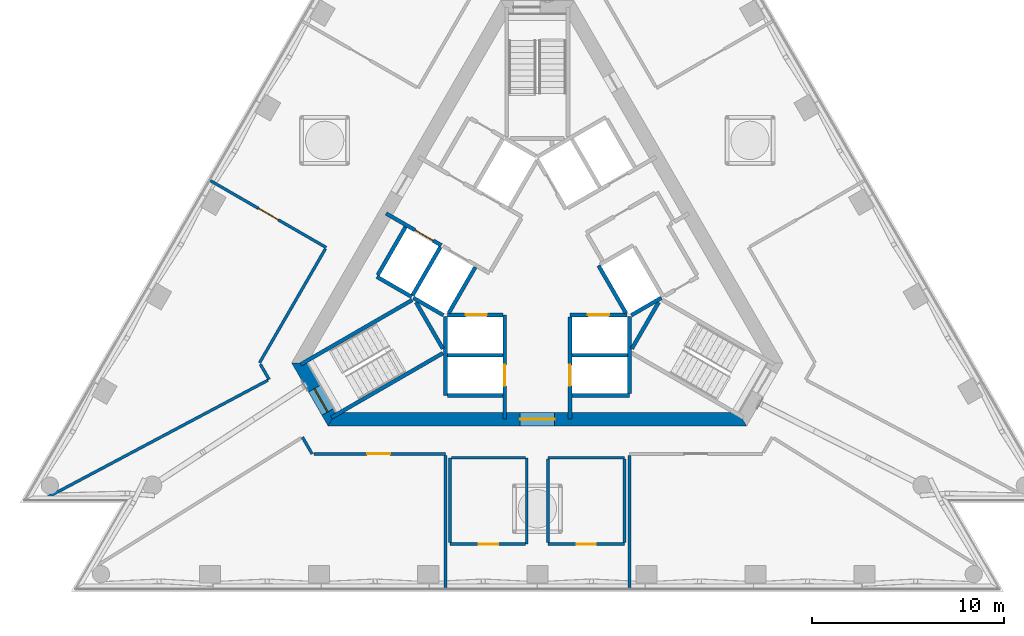
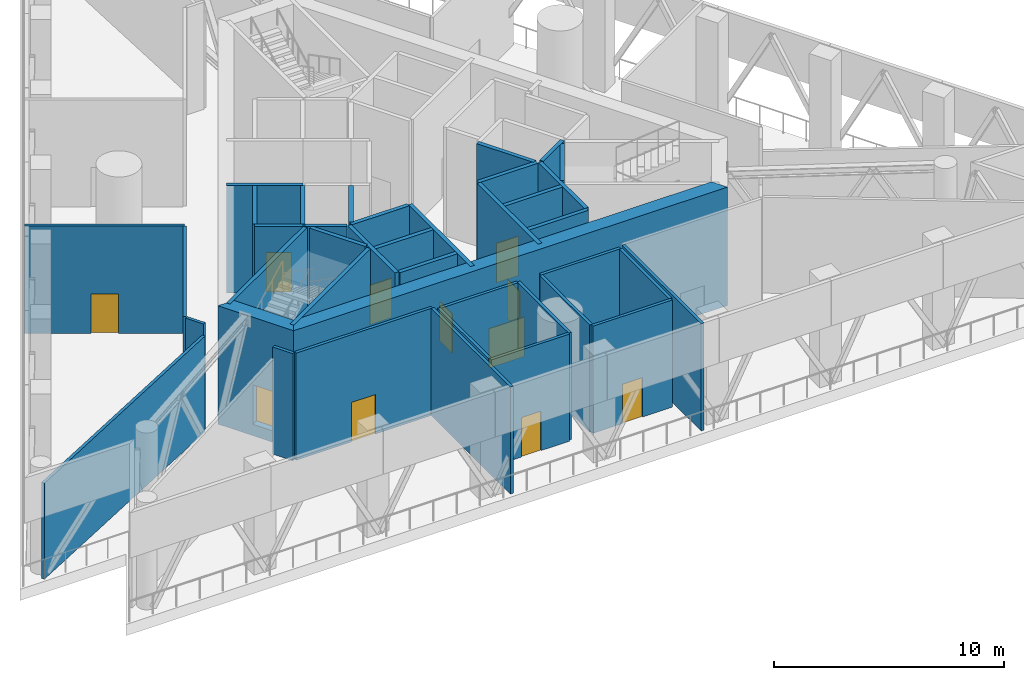
# One storey, part 8 of 15: 40 walls, 11 doors, 11 openings.
"""IFC4 building model written with IfcOpenShell, lengths in metres."""

from ifc_helpers import new_model, si_unit, direction, frame, frame_2d, origin, place, context, subcontext, project, spatial, polyline, rectangle, outline, extrude, material, layer, layer_set, type_object, element, fill, save


model = new_model("IFC4")

# Units and contexts
model_context = context("Model", 3, precision=1e-05, world=origin(), true_north=direction((0.0, 1.0)))
body_context = subcontext(model_context, "Body", "Model", "MODEL_VIEW")
ifc_project = project(units=[si_unit("LENGTHUNIT", "METRE"), si_unit("AREAUNIT", "SQUARE_METRE"), si_unit("VOLUMEUNIT", "CUBIC_METRE"), si_unit("PLANEANGLEUNIT", "RADIAN"), si_unit("MASSUNIT", "GRAM", prefix="KILO")], contexts=[model_context])

# Site, building, storey
site_placement = place(None, origin())
site = spatial("IfcSite", under=ifc_project, at=site_placement, CompositionType="ELEMENT")
building_placement = place(site_placement, origin())
building = spatial("IfcBuilding", under=site, at=building_placement, Name="Triada Interchange Tower", CompositionType="ELEMENT")
storey_placement = place(building_placement, frame((0.0, 0.0, 255.800048828125)))
storey = spatial("IfcBuildingStorey", under=building, at=storey_placement, Name="L60", CompositionType="ELEMENT", Elevation=255.800048828125)

# Walls
ifc_material_1 = material(Name="Concrete C30/37", Category="concrete")
ifc_layer_1 = layer(ifc_material_1, 0.199951171875)
ifc_layer_set_1 = layer_set([ifc_layer_1], Name="CORE WALL 200 EI 120")
wall_type_1 = type_object("IfcWallType", Name="CORE WALL 200 EI 120", PredefinedType="SOLIDWALL", material=ifc_layer_set_1)
wall_1_placement = place(storey_placement, frame((-8.3759765625, -0.70703125, 0.0), z_axis=(0.0, 0.0, 1.0), x_axis=(0.866067520717, -0.499927044236, 0.0)))
element("IfcWall", 1, at=wall_1_placement, inside=storey, type_object=wall_type_1, Name="Wall L60 33", PredefinedType="SOLIDWALL", context=body_context, shape_type="SweptSolid", body=[
    extrude(rectangle(XDim=2.100341796875, YDim=0.199951171875, at=frame_2d((1.05029296875, 0.0))), origin(), (0.0, 0.0, 1.0), 5.699951171875),
])
wall_2_placement = place(storey_placement, frame((-8.325927734375, -0.6201171875, 0.0), z_axis=(0.0, 0.0, 1.0), x_axis=(0.500023687443, 0.866011727401, 0.0)))
element("IfcWall", 2, at=wall_2_placement, inside=storey, type_object=wall_type_1, Name="Wall L60 34", PredefinedType="SOLIDWALL", context=body_context, shape_type="SweptSolid", body=[
    extrude(rectangle(XDim=2.899658203125, YDim=0.199951171875, at=frame_2d((1.44970703125, 0.0))), origin(), (0.0, 0.0, 1.0), 5.699951171875),
])
for number, where, z_axis, x_axis, name in (
    (3, (-4.699951171875, -4.800048828125, 0.0), (0.0, 0.0, 1.0), (1.0, 0.0, 0.0), "Wall L60 35"),
    (4, (1.800048828125, -4.800048828125, 0.0), (0.0, 0.0, 1.0), (1.0, 0.0, 0.0), "Wall L60 36"),
):
    element("IfcWall", number, at=place(storey_placement, frame(where, z_axis=z_axis, x_axis=x_axis)), inside=storey, type_object=wall_type_1, Name=name, PredefinedType="SOLIDWALL", context=body_context, shape_type="SweptSolid", body=[
        extrude(rectangle(XDim=2.89990234375, YDim=0.199951171875, at=frame_2d((1.449951171875, 0.0))), origin(), (0.0, 0.0, 1.0), 5.699951171875),
    ])
wall_3_placement = place(storey_placement, frame((-4.800048828125, -6.89990234375, 0.0), z_axis=(0.0, 0.0, 1.0), x_axis=(0.0, 1.0, 0.0)))
element("IfcWall", 5, at=wall_3_placement, inside=storey, type_object=wall_type_1, Name="Wall L60 37", PredefinedType="SOLIDWALL", context=body_context, shape_type="SweptSolid", body=[
    extrude(rectangle(XDim=4.130859375, YDim=0.199951171875, at=frame_2d((2.0654296875, 0.0))), origin(), (0.0, 0.0, 1.0), 5.699951171875),
])
wall_4_placement = place(storey_placement, frame((-4.699951171875, -6.89990234375, 0.0), z_axis=(0.0, 0.0, 1.0), x_axis=(1.0, 0.0, 0.0)))
element("IfcWall", 6, at=wall_4_placement, inside=storey, type_object=wall_type_1, Name="Wall L60 38", PredefinedType="SOLIDWALL", context=body_context, shape_type="SweptSolid", body=[
    extrude(rectangle(XDim=2.89990234375, YDim=0.199951171875, at=frame_2d((1.449951171875, 0.0))), origin(), (0.0, 0.0, 1.0), 5.699951171875),
])
wall_5_placement = place(storey_placement, frame((1.800048828125, -6.89990234375, 0.0), z_axis=(0.0, 0.0, 1.0), x_axis=(1.0, 0.0, 0.0)))
element("IfcWall", 7, at=wall_5_placement, inside=storey, type_object=wall_type_1, Name="Wall L60 39", PredefinedType="SOLIDWALL", context=body_context, shape_type="SweptSolid", body=[
    extrude(rectangle(XDim=3.0, YDim=0.199951171875, at=frame_2d((1.5, 0.0))), origin(), (0.0, 0.0, 1.0), 5.699951171875),
])

# Wall, opening, door
wall_6_placement = place(storey_placement, frame((-1.699951171875, -8.1298828125, 0.0), z_axis=(0.0, 0.0, 1.0), x_axis=(0.0, 1.0, 0.0)))
wall_6 = element("IfcWall", 8, at=wall_6_placement, inside=storey, type_object=wall_type_1, Name="Wall L60 40", PredefinedType="SOLIDWALL", context=body_context, shape_type="SweptSolid", body=[
    extrude(rectangle(XDim=5.427001953125, YDim=0.199951171875, at=frame_2d((2.71337890625, 0.0))), origin(), (0.0, 0.0, 1.0), 5.699951171875),
])
opening_1_placement = place(wall_6_placement, frame((1.72998046875, 0.0, 0.0)))
opening_1 = element("IfcOpeningElement", 9, at=opening_1_placement, cuts=wall_6, Name="Opening LD-HR4", PredefinedType="OPENING", context=body_context, shape_type="SweptSolid", body=[
    extrude(rectangle(XDim=1.10009765625, YDim=2.10009765625, at=frame_2d((0.550048828125, 1.050048828125))), frame((0.0, 0.10986328125, 0.0), z_axis=(0.0, -1.0, 0.0), x_axis=(1.0, 0.0, 0.0)), (0.0, 0.0, 1.0), 0.219970703125),
])
ifc_material_2 = material(Name="Steel S235 door leaf", Category="steel")
door_type_1 = type_object("IfcDoorType", Name="LIFT LANDING DOOR 1100 EI 120", OperationType="SLIDING_TO_LEFT", PredefinedType="DOOR", material=ifc_material_2)
door_1_placement = place(opening_1_placement, origin())
door_1 = element("IfcDoor", 10, at=door_1_placement, inside=storey, type_object=door_type_1, Name="HR4 landing door L60", OperationType="SLIDING_TO_LEFT", OverallHeight=2.10009765625, OverallWidth=1.10009765625, PredefinedType="DOOR", context=body_context, shape_type="SweptSolid", body=[
    extrude(rectangle(XDim=1.10009765625, YDim=2.10009765625, at=frame_2d((0.550048828125, 1.050048828125))), frame((0.0, 0.02490234375, 0.0), z_axis=(0.0, -1.0, 0.0), x_axis=(1.0, 0.0, 0.0)), (0.0, 0.0, 1.0), 0.050048828125),
])
fill(opening_1, door_1)

wall_7_placement = place(storey_placement, frame((-4.676025390625, -2.699951171875, 0.0), z_axis=(0.0, 0.0, 1.0), x_axis=(1.0, 0.0, 0.0)))
wall_7 = element("IfcWall", 11, at=wall_7_placement, inside=storey, type_object=wall_type_1, Name="Wall L60 41", PredefinedType="SOLIDWALL", context=body_context, shape_type="SweptSolid", body=[
    extrude(rectangle(XDim=2.873046875, YDim=0.199951171875, at=frame_2d((1.4365234375, 0.0))), origin(), (0.0, 0.0, 1.0), 5.699951171875),
])
opening_2_placement = place(wall_7_placement, frame((0.93701171875, 0.0, 0.0)))
opening_2 = element("IfcOpeningElement", 12, at=opening_2_placement, cuts=wall_7, Name="Opening LD-HR3", PredefinedType="OPENING", context=body_context, shape_type="SweptSolid", body=[
    extrude(rectangle(XDim=1.10009765625, YDim=2.10009765625, at=frame_2d((0.550048828125, 1.050048828125))), frame((0.0, 0.10986328125, 0.0), z_axis=(0.0, -1.0, 0.0), x_axis=(1.0, 0.0, 0.0)), (0.0, 0.0, 1.0), 0.219970703125),
])
door_2_placement = place(opening_2_placement, origin())
door_2 = element("IfcDoor", 13, at=door_2_placement, inside=storey, type_object=door_type_1, Name="HR3 landing door L60", OperationType="SLIDING_TO_LEFT", OverallHeight=2.10009765625, OverallWidth=1.10009765625, PredefinedType="DOOR", context=body_context, shape_type="SweptSolid", body=[
    extrude(rectangle(XDim=1.10009765625, YDim=2.10009765625, at=frame_2d((0.550048828125, 1.050048828125))), frame((0.0, 0.02490234375, 0.0), z_axis=(0.0, -1.0, 0.0), x_axis=(1.0, 0.0, 0.0)), (0.0, 0.0, 1.0), 0.050048828125),
])
fill(opening_2, door_2)

wall_8_placement = place(storey_placement, frame((1.702880859375, -2.699951171875, 0.0), z_axis=(0.0, 0.0, 1.0), x_axis=(1.0, 0.0, 0.0)))
wall_8 = element("IfcWall", 14, at=wall_8_placement, inside=storey, type_object=wall_type_1, Name="Wall L60 42", PredefinedType="SOLIDWALL", context=body_context, shape_type="SweptSolid", body=[
    extrude(rectangle(XDim=2.97314453125, YDim=0.199951171875, at=frame_2d((1.486572265625, 0.0))), origin(), (0.0, 0.0, 1.0), 5.699951171875),
])
opening_3_placement = place(wall_8_placement, frame((0.93603515625, 0.0, 0.0)))
opening_3 = element("IfcOpeningElement", 15, at=opening_3_placement, cuts=wall_8, Name="Opening LD-HR1", PredefinedType="OPENING", context=body_context, shape_type="SweptSolid", body=[
    extrude(rectangle(XDim=1.10009765625, YDim=2.10009765625, at=frame_2d((0.550048828125, 1.050048828125))), frame((0.0, 0.10986328125, 0.0), z_axis=(0.0, -1.0, 0.0), x_axis=(1.0, 0.0, 0.0)), (0.0, 0.0, 1.0), 0.219970703125),
])
door_3_placement = place(opening_3_placement, origin())
door_3 = element("IfcDoor", 16, at=door_3_placement, inside=storey, type_object=door_type_1, Name="HR1 landing door L60", OperationType="SLIDING_TO_LEFT", OverallHeight=2.10009765625, OverallWidth=1.10009765625, PredefinedType="DOOR", context=body_context, shape_type="SweptSolid", body=[
    extrude(rectangle(XDim=1.10009765625, YDim=2.10009765625, at=frame_2d((0.550048828125, 1.050048828125))), frame((0.0, 0.02490234375, 0.0), z_axis=(0.0, -1.0, 0.0), x_axis=(1.0, 0.0, 0.0)), (0.0, 0.0, 1.0), 0.050048828125),
])
fill(opening_3, door_3)

# Wall
wall_9_placement = place(storey_placement, frame((3.18994140625, -0.125, 0.0), z_axis=(0.0, 0.0, 1.0), x_axis=(0.499988658015, -0.866031951983, 0.0)))
element("IfcWall", 17, at=wall_9_placement, inside=storey, type_object=wall_type_1, Name="Wall L60 45", PredefinedType="SOLIDWALL", context=body_context, shape_type="SweptSolid", body=[
    extrude(rectangle(XDim=2.85791015625, YDim=0.199951171875, at=frame_2d((1.428955078125, 0.0))), origin(), (0.0, 0.0, 1.0), 5.699951171875),
])

# Wall, opening, door
wall_10_placement = place(storey_placement, frame((1.699951171875, -8.1298828125, 0.0), z_axis=(0.0, 0.0, 1.0), x_axis=(0.0, 1.0, 0.0)))
wall_10 = element("IfcWall", 18, at=wall_10_placement, inside=storey, type_object=wall_type_1, Name="Wall L60 47", PredefinedType="SOLIDWALL", context=body_context, shape_type="SweptSolid", body=[
    extrude(rectangle(XDim=5.326904296875, YDim=0.199951171875, at=frame_2d((2.66357421875, 0.0))), origin(), (0.0, 0.0, 1.0), 5.699951171875),
])
opening_4_placement = place(wall_10_placement, frame((1.72998046875, 0.0, 0.0)))
opening_4 = element("IfcOpeningElement", 19, at=opening_4_placement, cuts=wall_10, Name="Opening LD-HR2", PredefinedType="OPENING", context=body_context, shape_type="SweptSolid", body=[
    extrude(rectangle(XDim=1.10009765625, YDim=2.10009765625, at=frame_2d((0.550048828125, 1.050048828125))), frame((0.0, 0.10986328125, 0.0), z_axis=(0.0, -1.0, 0.0), x_axis=(1.0, 0.0, 0.0)), (0.0, 0.0, 1.0), 0.219970703125),
])
door_4_placement = place(opening_4_placement, origin())
door_4 = element("IfcDoor", 20, at=door_4_placement, inside=storey, type_object=door_type_1, Name="HR2 landing door L60", OperationType="SLIDING_TO_LEFT", OverallHeight=2.10009765625, OverallWidth=1.10009765625, PredefinedType="DOOR", context=body_context, shape_type="SweptSolid", body=[
    extrude(rectangle(XDim=1.10009765625, YDim=2.10009765625, at=frame_2d((0.550048828125, 1.050048828125))), frame((0.0, 0.02490234375, 0.0), z_axis=(0.0, -1.0, 0.0), x_axis=(1.0, 0.0, 0.0)), (0.0, 0.0, 1.0), 0.050048828125),
])
fill(opening_4, door_4)

# Walls
wall_11_placement = place(storey_placement, frame((4.800048828125, -6.800048828125, 0.0), z_axis=(0.0, 0.0, 1.0), x_axis=(0.0, 1.0, 0.0)))
element("IfcWall", 21, at=wall_11_placement, inside=storey, type_object=wall_type_1, Name="Wall L60 48", PredefinedType="SOLIDWALL", context=body_context, shape_type="SweptSolid", body=[
    extrude(rectangle(XDim=4.029052734375, YDim=0.199951171875, at=frame_2d((2.0146484375, 0.0))), origin(), (0.0, 0.0, 1.0), 5.699951171875),
])
wall_12_placement = place(storey_placement, frame((4.89990234375, -2.714111328125, 0.0), z_axis=(0.0, 0.0, 1.0), x_axis=(0.865846928409, 0.500309001083, 0.0)))
element("IfcWall", 22, at=wall_12_placement, inside=storey, type_object=wall_type_1, Name="Wall L60 54", PredefinedType="SOLIDWALL", context=body_context, shape_type="SweptSolid", body=[
    extrude(rectangle(XDim=1.813232421875, YDim=0.199951171875, at=frame_2d((0.90673828125, 0.0))), origin(), (0.0, 0.0, 1.0), 5.699951171875),
])

# Wall, opening, door
ifc_layer_2 = layer(ifc_material_1, 0.199951171875)
ifc_layer_set_2 = layer_set([ifc_layer_2], Name="CORE WALL 200 EI 180")
wall_type_2 = type_object("IfcWallType", Name="CORE WALL 200 EI 180", PredefinedType="SOLIDWALL", material=ifc_layer_set_2)
wall_13_placement = place(storey_placement, frame((-7.89111328125, 2.593017578125, 0.0), z_axis=(0.0, 0.0, 1.0), x_axis=(0.866070917804, -0.499921159118, 0.0)))
wall_13 = element("IfcWall", 23, at=wall_13_placement, inside=storey, type_object=wall_type_2, Name="Wall L60 58", PredefinedType="SOLIDWALL", context=body_context, shape_type="SweptSolid", body=[
    extrude(rectangle(XDim=3.33251953125, YDim=0.199951171875, at=frame_2d((1.666259765625, 0.0))), origin(), (0.0, 0.0, 1.0), 5.699951171875),
])
opening_5_placement = place(wall_13_placement, frame((1.72998046875, 0.0, 0.0)))
opening_5 = element("IfcOpeningElement", 24, at=opening_5_placement, cuts=wall_13, Name="Opening LD-SV1", PredefinedType="OPENING", context=body_context, shape_type="SweptSolid", body=[
    extrude(rectangle(XDim=1.10009765625, YDim=2.10009765625, at=frame_2d((0.550048828125, 1.050048828125))), frame((0.0, 0.10986328125, 0.0), z_axis=(0.0, -1.0, 0.0), x_axis=(1.0, 0.0, 0.0)), (0.0, 0.0, 1.0), 0.219970703125),
])
door_5_placement = place(opening_5_placement, origin())
door_5 = element("IfcDoor", 25, at=door_5_placement, inside=storey, type_object=door_type_1, Name="SV1 landing door L60", OperationType="SLIDING_TO_LEFT", OverallHeight=2.10009765625, OverallWidth=1.10009765625, PredefinedType="DOOR", context=body_context, shape_type="SweptSolid", body=[
    extrude(rectangle(XDim=1.10009765625, YDim=2.10009765625, at=frame_2d((0.550048828125, 1.050048828125))), frame((0.0, 0.02490234375, 0.0), z_axis=(0.0, -1.0, 0.0), x_axis=(1.0, 0.0, 0.0)), (0.0, 0.0, 1.0), 0.050048828125),
])
fill(opening_5, door_5)

# Walls
wall_14_placement = place(storey_placement, frame((-6.507080078125, -1.669921875, 0.0), z_axis=(0.0, 0.0, 1.0), x_axis=(0.50012328804, 0.865954211699, 0.0)))
element("IfcWall", 26, at=wall_14_placement, inside=storey, type_object=wall_type_2, Name="Shaft wall FF1 L60 65", PredefinedType="SOLIDWALL", context=body_context, shape_type="SweptSolid", body=[
    extrude(rectangle(XDim=2.899658203125, YDim=0.199951171875, at=frame_2d((1.44970703125, 0.0))), origin(), (0.0, 0.0, 1.0), 5.699951171875),
])
wall_15_placement = place(storey_placement, frame((-6.469970703125, -1.806884765625, 0.0), z_axis=(0.0, 0.0, 1.0), x_axis=(0.865883195159, -0.500246231712, 0.0)))
element("IfcWall", 27, at=wall_15_placement, inside=storey, type_object=wall_type_2, Name="Shaft wall FF1 L60 66", PredefinedType="SOLIDWALL", context=body_context, shape_type="SweptSolid", body=[
    extrude(rectangle(XDim=1.8154296875, YDim=0.199951171875, at=frame_2d((0.90771484375, 0.0))), origin(), (0.0, 0.0, 1.0), 5.699951171875),
])
wall_16_placement = place(storey_placement, frame((-4.618896484375, -2.60009765625, 0.0), z_axis=(0.0, 0.0, 1.0), x_axis=(0.50009492287, 0.865970593103, 0.0)))
element("IfcWall", 28, at=wall_16_placement, inside=storey, type_object=wall_type_2, Name="Shaft wall FF1 L60 68", PredefinedType="SOLIDWALL", context=body_context, shape_type="SweptSolid", body=[
    extrude(rectangle(XDim=2.76123046875, YDim=0.199951171875, at=frame_2d((1.380615234375, 0.0))), origin(), (0.0, 0.0, 1.0), 5.699951171875),
])
ifc_layer_3 = layer(ifc_material_1, 0.199951171875)
ifc_layer_set_3 = layer_set([ifc_layer_3], Name="CORE WALL 200 REI 240")
wall_type_3 = type_object("IfcWallType", Name="CORE WALL 200 REI 240", PredefinedType="SOLIDWALL", material=ifc_layer_set_3)
wall_17_placement = place(storey_placement, frame((-12.343994140625, -5.279052734375, 0.0), z_axis=(0.0, 0.0, 1.0), x_axis=(0.866046323291, 0.499963764601, 0.0)))
element("IfcWall", 29, at=wall_17_placement, inside=storey, type_object=wall_type_3, Name="Wall L60 77", PredefinedType="SOLIDWALL", context=body_context, shape_type="SweptSolid", body=[
    extrude(rectangle(XDim=6.71435546875, YDim=0.199951171875, at=frame_2d((3.357177734375, 0.0))), origin(), (0.0, 0.0, 1.0), 5.699951171875),
])
wall_18_placement = place(storey_placement, frame((-6.3291015625, -2.0380859375, 0.0), z_axis=(0.0, 0.0, 1.0), x_axis=(0.500200581029, -0.865909567298, 0.0)))
element("IfcWall", 30, at=wall_18_placement, inside=storey, type_object=wall_type_3, Name="Wall L60 78", PredefinedType="SOLIDWALL", context=body_context, shape_type="SweptSolid", body=[
    extrude(rectangle(XDim=2.799072265625, YDim=0.199951171875, at=frame_2d((1.3994140625, 0.0))), origin(), (0.0, 0.0, 1.0), 5.699951171875),
])
wall_19_placement = place(storey_placement, frame((-10.743896484375, -8.051025390625, 0.0), z_axis=(0.0, 0.0, 1.0), x_axis=(0.865983344943, 0.500072840975, 0.0)))
element("IfcWall", 31, at=wall_19_placement, inside=storey, type_object=wall_type_3, Name="Wall L60 79", PredefinedType="SOLIDWALL", context=body_context, shape_type="SweptSolid", body=[
    extrude(rectangle(XDim=6.71484375, YDim=0.199951171875, at=frame_2d((3.357421875, 0.0))), origin(), (0.0, 0.0, 1.0), 5.699951171875),
])
wall_20_placement = place(storey_placement, frame((4.928955078125, -4.4619140625, 0.0), z_axis=(0.0, 0.0, 1.0), x_axis=(0.500200581029, 0.865909567298, 0.0)))
element("IfcWall", 32, at=wall_20_placement, inside=storey, type_object=wall_type_3, Name="Wall L60 84", PredefinedType="SOLIDWALL", context=body_context, shape_type="SweptSolid", body=[
    extrude(rectangle(XDim=2.799072265625, YDim=0.199951171875, at=frame_2d((1.3994140625, 0.0))), origin(), (0.0, 0.0, 1.0), 5.699951171875),
])

# Wall, opening, door
ifc_material_3 = material(Name="Concrete C50/60", Category="concrete")
ifc_layer_4 = layer(ifc_material_3, 0.699951171875)
ifc_layer_set_4 = layer_set([ifc_layer_4], Name="Core wall C 700")
wall_type_4 = type_object("IfcWallType", Name="Core wall C 700", PredefinedType="SHEAR", material=ifc_layer_set_4)
wall_21_placement = place(storey_placement, frame((-12.4130859375, -5.199951171875, -0.60009765625), z_axis=(0.0, 0.0, 1.0), x_axis=(0.49999337185, -0.866029230515, 0.0)))
wall_21 = element("IfcWall", 33, at=wall_21_placement, inside=storey, type_object=wall_type_4, Name="Core wall WC09 L60", PredefinedType="SHEAR", context=body_context, shape_type="SweptSolid", body=[
    extrude(outline(polyline([(-0.201904296875, -0.35009765625), (1.703125, -0.35009765625), (3.60791015625, -0.35009765625), (3.2041015625, 0.35009765625), (1.703125, 0.35009765625), (0.201904296875, 0.35009765625), (-0.201904296875, -0.35009765625)])), origin(), (0.0, 0.0, 1.0), 6.300048828125),
])
opening_6_placement = place(wall_21_placement, frame((1.552978515625, 0.0, 0.60009765625)))
opening_6 = element("IfcOpeningElement", 34, at=opening_6_placement, cuts=wall_21, Name="Opening D60-21", PredefinedType="OPENING", context=body_context, shape_type="SweptSolid", body=[
    extrude(rectangle(XDim=1.39990234375, YDim=2.10009765625, at=frame_2d((0.699951171875, 1.050048828125))), frame((0.0, 0.360107421875, 0.0), z_axis=(0.0, -1.0, 0.0), x_axis=(1.0, 0.0, 0.0)), (0.0, 0.0, 1.0), 0.72021484375),
])
door_type_2 = type_object("IfcDoorType", Name="STAIR DOOR 1400 EI2 90-C5S200", OperationType="DOUBLE_DOOR_SINGLE_SWING", PredefinedType="DOOR", material=ifc_material_2)
door_6_placement = place(opening_6_placement, origin())
door_6 = element("IfcDoor", 35, at=door_6_placement, inside=storey, type_object=door_type_2, Name="Door D60-21 L60", OperationType="DOUBLE_DOOR_SINGLE_SWING", OverallHeight=2.10009765625, OverallWidth=1.39990234375, PredefinedType="DOOR", context=body_context, shape_type="SweptSolid", body=[
    extrude(rectangle(XDim=1.39990234375, YDim=2.10009765625, at=frame_2d((0.699951171875, 1.050048828125))), frame((0.0, 0.02490234375, 0.0), z_axis=(0.0, -1.0, 0.0), x_axis=(1.0, 0.0, 0.0)), (0.0, 0.0, 1.0), 0.050048828125),
])
fill(opening_6, door_6)

wall_22_placement = place(storey_placement, frame((-10.7099609375, -8.14990234375, -0.60009765625), z_axis=(0.0, 0.0, 1.0), x_axis=(1.0, 0.0, 0.0)))
wall_22 = element("IfcWall", 36, at=wall_22_placement, inside=storey, type_object=wall_type_4, Name="Core wall WC10 L60", PredefinedType="SHEAR", context=body_context, shape_type="SweptSolid", body=[
    extrude(outline(polyline([(-0.201904296875, -0.35009765625), (1.781982421875, -0.35009765625), (3.76611328125, -0.35009765625), (5.75, -0.35009765625), (7.734130859375, -0.35009765625), (9.718017578125, -0.35009765625), (11.7021484375, -0.35009765625), (13.68603515625, -0.35009765625), (15.670166015625, -0.35009765625), (17.654052734375, -0.35009765625), (19.63818359375, -0.35009765625), (21.6220703125, -0.35009765625), (21.218017578125, 0.35009765625), (19.307373046875, 0.35009765625), (17.39697265625, 0.35009765625), (15.486328125, 0.35009765625), (13.57568359375, 0.35009765625), (11.665283203125, 0.35009765625), (9.754638671875, 0.35009765625), (7.84423828125, 0.35009765625), (5.93359375, 0.35009765625), (4.02294921875, 0.35009765625), (2.112548828125, 0.35009765625), (0.201904296875, 0.35009765625), (-0.201904296875, -0.35009765625)])), origin(), (0.0, 0.0, 1.0), 6.300048828125),
])
opening_7_placement = place(wall_22_placement, frame((9.81005859375, 0.0, 0.60009765625)))
opening_7 = element("IfcOpeningElement", 37, at=opening_7_placement, cuts=wall_22, Name="Opening D60-19", PredefinedType="OPENING", context=body_context, shape_type="SweptSolid", body=[
    extrude(rectangle(XDim=1.800048828125, YDim=2.10009765625, at=frame_2d((0.89990234375, 1.050048828125))), frame((0.0, 0.360107421875, 0.0), z_axis=(0.0, -1.0, 0.0), x_axis=(1.0, 0.0, 0.0)), (0.0, 0.0, 1.0), 0.72021484375),
])
door_type_3 = type_object("IfcDoorType", Name="LOBBY DOOR 1800 EI2 90-C5S200", OperationType="DOUBLE_DOOR_SINGLE_SWING", PredefinedType="DOOR", material=ifc_material_2)
door_7_placement = place(opening_7_placement, origin())
door_7 = element("IfcDoor", 38, at=door_7_placement, inside=storey, type_object=door_type_3, Name="Door D60-19 L60", OperationType="DOUBLE_DOOR_SINGLE_SWING", OverallHeight=2.10009765625, OverallWidth=1.800048828125, PredefinedType="DOOR", context=body_context, shape_type="SweptSolid", body=[
    extrude(rectangle(XDim=1.800048828125, YDim=2.10009765625, at=frame_2d((0.89990234375, 1.050048828125))), frame((0.0, 0.02490234375, 0.0), z_axis=(0.0, -1.0, 0.0), x_axis=(1.0, 0.0, 0.0)), (0.0, 0.0, 1.0), 0.050048828125),
])
fill(opening_7, door_7)

ifc_material_4 = material(Name="Gypsum board partition")
ifc_layer_5 = layer(ifc_material_4, 0.14990234375)
ifc_layer_set_5 = layer_set([ifc_layer_5], Name="PARTITION 150 EI 180")
wall_type_5 = type_object("IfcWallType", Name="PARTITION 150 EI 180", PredefinedType="PARTITIONING", material=ifc_layer_set_5)
wall_23_placement = place(storey_placement, frame((-17.054931640625, 4.303955078125, 0.0), z_axis=(0.0, 0.0, 1.0), x_axis=(0.866032219707, -0.49998819429, 0.0)))
wall_23 = element("IfcWall", 39, at=wall_23_placement, inside=storey, type_object=wall_type_5, Name="Wall L60 1", PredefinedType="PARTITIONING", context=body_context, shape_type="SweptSolid", body=[
    extrude(rectangle(XDim=6.971923828125, YDim=0.14990234375, at=frame_2d((3.48583984375, 0.0))), origin(), (0.0, 0.0, 1.0), 5.699951171875),
])
opening_8_placement = place(wall_23_placement, frame((2.885986328125, 0.0, 0.0)))
opening_8 = element("IfcOpeningElement", 40, at=opening_8_placement, cuts=wall_23, Name="Opening D60-18", PredefinedType="OPENING", context=body_context, shape_type="SweptSolid", body=[
    extrude(rectangle(XDim=1.199951171875, YDim=2.10009765625, at=frame_2d((0.60009765625, 1.050048828125))), frame((0.0, 0.0849609375, 0.0), z_axis=(0.0, -1.0, 0.0), x_axis=(1.0, 0.0, 0.0)), (0.0, 0.0, 1.0), 0.169921875),
])
door_type_4 = type_object("IfcDoorType", Name="DOUBLE ROOM DOOR 1200 EI2 45-C5S200", OperationType="DOUBLE_DOOR_SINGLE_SWING", PredefinedType="DOOR", material=ifc_material_2)
door_8_placement = place(opening_8_placement, origin())
door_8 = element("IfcDoor", 41, at=door_8_placement, inside=storey, type_object=door_type_4, Name="Door D60-18 L60", OperationType="DOUBLE_DOOR_SINGLE_SWING", OverallHeight=2.10009765625, OverallWidth=1.199951171875, PredefinedType="DOOR", context=body_context, shape_type="SweptSolid", body=[
    extrude(rectangle(XDim=1.199951171875, YDim=2.10009765625, at=frame_2d((0.60009765625, 1.050048828125))), frame((0.0, 0.02490234375, 0.0), z_axis=(0.0, -1.0, 0.0), x_axis=(1.0, 0.0, 0.0)), (0.0, 0.0, 1.0), 0.050048828125),
])
fill(opening_8, door_8)

# Walls
wall_24_placement = place(storey_placement, frame((-14.490966796875, -5.199951171875, 0.0), z_axis=(0.0, 0.0, 1.0), x_axis=(0.50001247681, 0.866018200175, 0.0)))
element("IfcWall", 42, at=wall_24_placement, inside=storey, type_object=wall_type_5, Name="Wall L60 2", PredefinedType="PARTITIONING", context=body_context, shape_type="SweptSolid", body=[
    extrude(rectangle(XDim=6.873779296875, YDim=0.14990234375, at=frame_2d((3.43701171875, 0.0))), origin(), (0.0, 0.0, 1.0), 5.699951171875),
])
wall_25_placement = place(storey_placement, frame((-14.447998046875, -5.27490234375, 0.0), z_axis=(0.0, 0.0, 1.0), x_axis=(0.499454108712, -0.866340344952, 0.0)))
element("IfcWall", 43, at=wall_25_placement, inside=storey, type_object=wall_type_5, Name="Wall L60 4", PredefinedType="PARTITIONING", context=body_context, shape_type="SweptSolid", body=[
    extrude(rectangle(XDim=0.9189453125, YDim=0.14990234375, at=frame_2d((0.45947265625, 0.0))), origin(), (0.0, 0.0, 1.0), 5.699951171875),
])
wall_26_placement = place(storey_placement, frame((-12.25390625, -9.074951171875, 0.0), z_axis=(0.0, 0.0, 1.0), x_axis=(0.499778243608, -0.866153397047, 0.0)))
element("IfcWall", 44, at=wall_26_placement, inside=storey, type_object=wall_type_5, Name="Wall L60 5", PredefinedType="PARTITIONING", context=body_context, shape_type="SweptSolid", body=[
    extrude(rectangle(XDim=1.01025390625, YDim=0.14990234375, at=frame_2d((0.505126953125, 0.0))), origin(), (0.0, 0.0, 1.0), 5.699951171875),
])
wall_27_placement = place(storey_placement, frame((-25.716064453125, -12.299072265625, 0.0), z_axis=(0.0, 0.0, 1.0), x_axis=(0.883174126978, 0.469045265871, 0.0)))
element("IfcWall", 45, at=wall_27_placement, inside=storey, type_object=wall_type_5, Name="Wall L60 6", PredefinedType="PARTITIONING", context=body_context, shape_type="SweptSolid", body=[
    extrude(rectangle(XDim=13.20361328125, YDim=0.14990234375, at=frame_2d((6.601806640625, 0.0))), origin(), (0.0, 0.0, 1.0), 5.099853515625),
])

# Wall, opening, door
wall_28_placement = place(storey_placement, frame((-11.662109375, -9.949951171875, 0.0), z_axis=(0.0, 0.0, 1.0), x_axis=(1.0, 0.0, 0.0)))
wall_28 = element("IfcWall", 46, at=wall_28_placement, inside=storey, type_object=wall_type_5, Name="Wall L60 8", PredefinedType="PARTITIONING", context=body_context, shape_type="SweptSolid", body=[
    extrude(rectangle(XDim=6.862060546875, YDim=0.14990234375, at=frame_2d((3.43115234375, 0.0))), origin(), (0.0, 0.0, 1.0), 5.699951171875),
])
opening_9_placement = place(wall_28_placement, frame((2.787109375, 0.0, 0.0)))
opening_9 = element("IfcOpeningElement", 47, at=opening_9_placement, cuts=wall_28, Name="Opening D60-16", PredefinedType="OPENING", context=body_context, shape_type="SweptSolid", body=[
    extrude(rectangle(XDim=1.199951171875, YDim=2.10009765625, at=frame_2d((0.60009765625, 1.050048828125))), frame((0.0, 0.0849609375, 0.0), z_axis=(0.0, -1.0, 0.0), x_axis=(1.0, 0.0, 0.0)), (0.0, 0.0, 1.0), 0.169921875),
])
door_9_placement = place(opening_9_placement, origin())
door_9 = element("IfcDoor", 48, at=door_9_placement, inside=storey, type_object=door_type_4, Name="Door D60-16 L60", OperationType="DOUBLE_DOOR_SINGLE_SWING", OverallHeight=2.10009765625, OverallWidth=1.199951171875, PredefinedType="DOOR", context=body_context, shape_type="SweptSolid", body=[
    extrude(rectangle(XDim=1.199951171875, YDim=2.10009765625, at=frame_2d((0.60009765625, 1.050048828125))), frame((0.0, 0.02490234375, 0.0), z_axis=(0.0, -1.0, 0.0), x_axis=(1.0, 0.0, 0.0)), (0.0, 0.0, 1.0), 0.050048828125),
])
fill(opening_9, door_9)

# Walls
for number, where, z_axis, x_axis, name in (
    (49, (-4.800048828125, -16.922119140625, 0.0), (0.0, 0.0, 1.0), (0.0, 1.0, 0.0), "Wall L60 10"),
    (50, (4.800048828125, -16.922119140625, 0.0), (0.0, 0.0, 1.0), (0.0, 1.0, 0.0), "Wall L60 19"),
):
    element("IfcWall", number, at=place(storey_placement, frame(where, z_axis=z_axis, x_axis=x_axis)), inside=storey, type_object=wall_type_5, Name=name, PredefinedType="PARTITIONING", context=body_context, shape_type="SweptSolid", body=[
        extrude(rectangle(XDim=6.897216796875, YDim=0.14990234375, at=frame_2d((3.44873046875, 0.0))), origin(), (0.0, 0.0, 1.0), 5.699951171875),
    ])
wall_29_placement = place(storey_placement, frame((-0.550048828125, -14.64990234375, 0.0), z_axis=(0.0, 0.0, 1.0), x_axis=(0.0, 1.0, 0.0)))
element("IfcWall", 51, at=wall_29_placement, inside=storey, type_object=wall_type_5, Name="Wall L60 25", PredefinedType="PARTITIONING", context=body_context, shape_type="SweptSolid", body=[
    extrude(rectangle(XDim=4.5, YDim=0.14990234375, at=frame_2d((2.25, 0.0))), origin(), (0.0, 0.0, 1.0), 5.699951171875),
])

# Wall, opening, door
wall_30_placement = place(storey_placement, frame((-4.550048828125, -14.64990234375, 0.0), z_axis=(0.0, 0.0, 1.0), x_axis=(1.0, 0.0, 0.0)))
wall_30 = element("IfcWall", 52, at=wall_30_placement, inside=storey, type_object=wall_type_5, Name="Wall L60 26", PredefinedType="PARTITIONING", context=body_context, shape_type="SweptSolid", body=[
    extrude(rectangle(XDim=3.925048828125, YDim=0.14990234375, at=frame_2d((1.96240234375, 0.0))), origin(), (0.0, 0.0, 1.0), 5.699951171875),
])
opening_10_placement = place(wall_30_placement, frame((1.5, 0.0, 0.0)))
opening_10 = element("IfcOpeningElement", 53, at=opening_10_placement, cuts=wall_30, Name="Opening D60-11", PredefinedType="OPENING", context=body_context, shape_type="SweptSolid", body=[
    extrude(rectangle(XDim=1.0, YDim=2.10009765625, at=frame_2d((0.5, 1.050048828125))), frame((0.0, 0.0849609375, 0.0), z_axis=(0.0, -1.0, 0.0), x_axis=(1.0, 0.0, 0.0)), (0.0, 0.0, 1.0), 0.169921875),
])
door_type_5 = type_object("IfcDoorType", Name="ROOM DOOR 1000 EI2 45-C5S200", OperationType="NOTDEFINED", PredefinedType="DOOR", material=ifc_material_2)
door_10_placement = place(opening_10_placement, origin())
door_10 = element("IfcDoor", 54, at=door_10_placement, inside=storey, type_object=door_type_5, Name="Door D60-11 L60", OperationType="SINGLE_SWING_RIGHT", OverallHeight=2.10009765625, OverallWidth=1.0, PredefinedType="DOOR", context=body_context, shape_type="SweptSolid", body=[
    extrude(rectangle(XDim=1.0, YDim=2.10009765625, at=frame_2d((0.5, 1.050048828125))), frame((0.0, 0.02490234375, 0.0), z_axis=(0.0, -1.0, 0.0), x_axis=(1.0, 0.0, 0.0)), (0.0, 0.0, 1.0), 0.050048828125),
])
fill(opening_10, door_10)

wall_31_placement = place(storey_placement, frame((0.550048828125, -14.64990234375, 0.0), z_axis=(0.0, 0.0, 1.0), x_axis=(1.0, 0.0, 0.0)))
wall_31 = element("IfcWall", 55, at=wall_31_placement, inside=storey, type_object=wall_type_5, Name="Wall L60 27", PredefinedType="PARTITIONING", context=body_context, shape_type="SweptSolid", body=[
    extrude(rectangle(XDim=4.0, YDim=0.14990234375, at=frame_2d((2.0, 0.0))), origin(), (0.0, 0.0, 1.0), 5.699951171875),
])
opening_11_placement = place(wall_31_placement, frame((1.5, 0.0, 0.0)))
opening_11 = element("IfcOpeningElement", 56, at=opening_11_placement, cuts=wall_31, Name="Opening D60-12", PredefinedType="OPENING", context=body_context, shape_type="SweptSolid", body=[
    extrude(rectangle(XDim=1.0, YDim=2.10009765625, at=frame_2d((0.5, 1.050048828125))), frame((0.0, 0.0849609375, 0.0), z_axis=(0.0, -1.0, 0.0), x_axis=(1.0, 0.0, 0.0)), (0.0, 0.0, 1.0), 0.169921875),
])
door_11_placement = place(opening_11_placement, origin())
door_11 = element("IfcDoor", 57, at=door_11_placement, inside=storey, type_object=door_type_5, Name="Door D60-12 L60", OperationType="SINGLE_SWING_RIGHT", OverallHeight=2.10009765625, OverallWidth=1.0, PredefinedType="DOOR", context=body_context, shape_type="SweptSolid", body=[
    extrude(rectangle(XDim=1.0, YDim=2.10009765625, at=frame_2d((0.5, 1.050048828125))), frame((0.0, 0.02490234375, 0.0), z_axis=(0.0, -1.0, 0.0), x_axis=(1.0, 0.0, 0.0)), (0.0, 0.0, 1.0), 0.050048828125),
])
fill(opening_11, door_11)

# Walls
wall_32_placement = place(storey_placement, frame((-4.550048828125, -14.574951171875, 0.0), z_axis=(0.0, 0.0, 1.0), x_axis=(0.0, 1.0, 0.0)))
element("IfcWall", 58, at=wall_32_placement, inside=storey, type_object=wall_type_5, Name="Wall L60 28", PredefinedType="PARTITIONING", context=body_context, shape_type="SweptSolid", body=[
    extrude(rectangle(XDim=4.425048828125, YDim=0.14990234375, at=frame_2d((2.21240234375, 0.0))), origin(), (0.0, 0.0, 1.0), 5.699951171875),
])
wall_33_placement = place(storey_placement, frame((-4.47509765625, -10.14990234375, 0.0), z_axis=(0.0, 0.0, 1.0), x_axis=(1.0, 0.0, 0.0)))
element("IfcWall", 59, at=wall_33_placement, inside=storey, type_object=wall_type_5, Name="Wall L60 29", PredefinedType="PARTITIONING", context=body_context, shape_type="SweptSolid", body=[
    extrude(rectangle(XDim=3.85009765625, YDim=0.14990234375, at=frame_2d((1.925048828125, 0.0))), origin(), (0.0, 0.0, 1.0), 5.699951171875),
])
wall_34_placement = place(storey_placement, frame((0.550048828125, -10.14990234375, 0.0), z_axis=(0.0, 0.0, 1.0), x_axis=(1.0, 0.0, 0.0)))
element("IfcWall", 60, at=wall_34_placement, inside=storey, type_object=wall_type_5, Name="Wall L60 30", PredefinedType="PARTITIONING", context=body_context, shape_type="SweptSolid", body=[
    extrude(rectangle(XDim=4.0, YDim=0.14990234375, at=frame_2d((2.0, 0.0))), origin(), (0.0, 0.0, 1.0), 5.699951171875),
])
for number, where, z_axis, x_axis, name in (
    (61, (0.550048828125, -14.574951171875, 0.0), (0.0, 0.0, 1.0), (0.0, 1.0, 0.0), "Wall L60 31"),
    (62, (4.550048828125, -14.574951171875, 0.0), (0.0, 0.0, 1.0), (0.0, 1.0, 0.0), "Wall L60 32"),
):
    element("IfcWall", number, at=place(storey_placement, frame(where, z_axis=z_axis, x_axis=x_axis)), inside=storey, type_object=wall_type_5, Name=name, PredefinedType="PARTITIONING", context=body_context, shape_type="SweptSolid", body=[
        extrude(rectangle(XDim=4.349853515625, YDim=0.14990234375, at=frame_2d((2.1748046875, 0.0))), origin(), (0.0, 0.0, 1.0), 5.699951171875),
    ])

save(model, "model.ifc")
